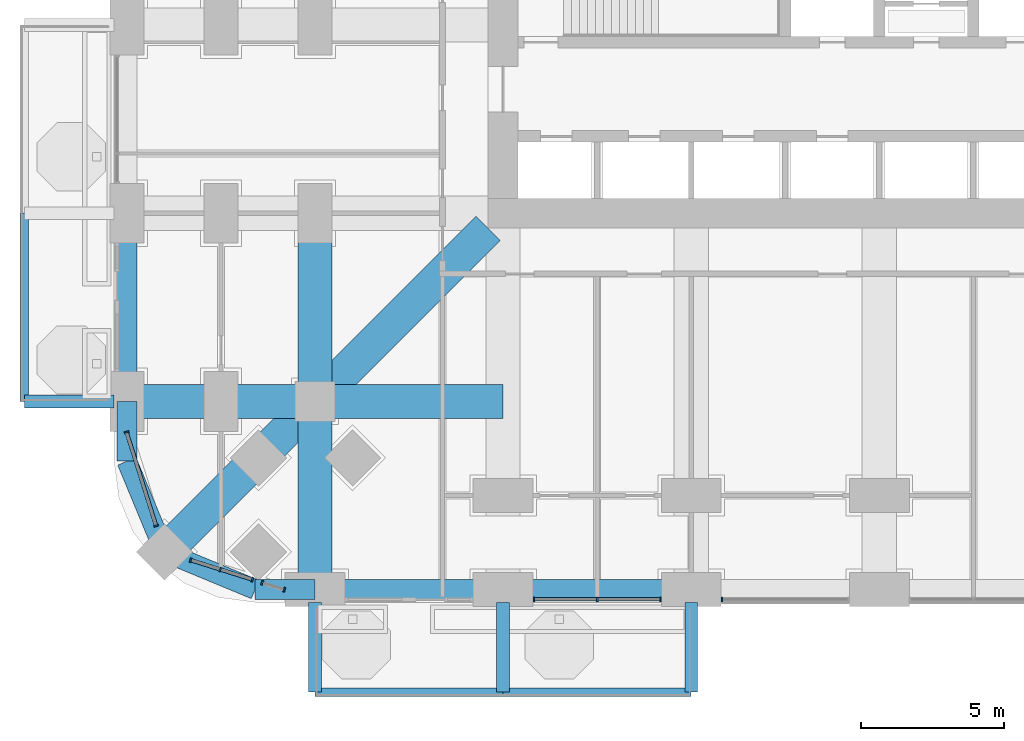
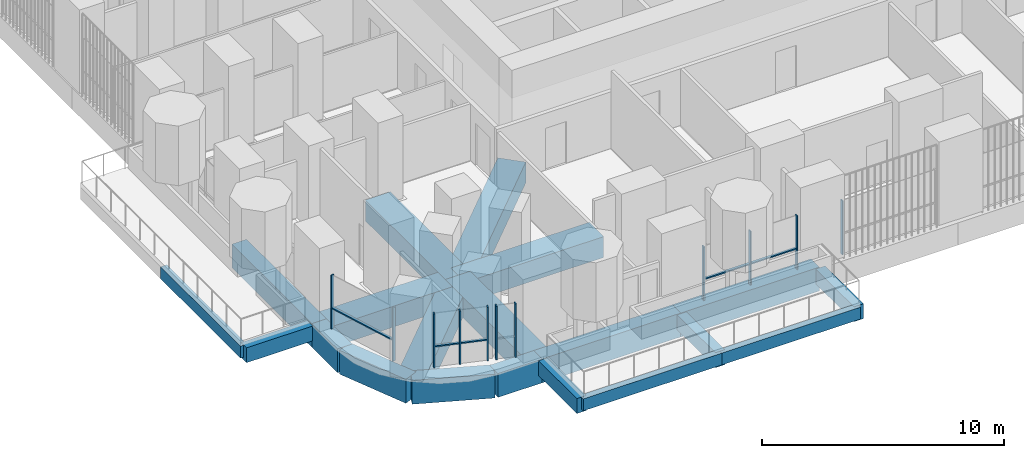
# One storey, part 2 of 27: 20 beams, 16 members, 5 elements without a shape of their own.
"""IFC4 building model written with IfcOpenShell, lengths in metres."""

from ifc_helpers import new_model, si_unit, direction, frame, origin, origin_2d, place, context, subcontext, project, spatial, rectangle, extrude, material, material_profile, profile_set, type_object, element, aggregate, save


model = new_model("IFC4")

# Units and contexts
model_context = context("Model", 3, precision=1e-05, world=origin(), true_north=direction((0.0, 1.0)))
body_context = subcontext(model_context, "Body", "Model", "MODEL_VIEW")
ifc_project = project(units=[si_unit("LENGTHUNIT", "METRE"), si_unit("AREAUNIT", "SQUARE_METRE"), si_unit("VOLUMEUNIT", "CUBIC_METRE"), si_unit("PLANEANGLEUNIT", "RADIAN"), si_unit("MASSUNIT", "GRAM", prefix="KILO")], contexts=[model_context])

# Site, building, storey
site_placement = place(None, origin())
site = spatial("IfcSite", under=ifc_project, at=site_placement, CompositionType="ELEMENT")
building_placement = place(site_placement, origin())
building = spatial("IfcBuilding", under=site, at=building_placement, Name="Cobogo Forest Laboratory Tower", CompositionType="ELEMENT")
storey_placement = place(building_placement, frame((0.0, 0.0, 46.5)))
storey = spatial("IfcBuildingStorey", under=building, at=storey_placement, Name="L10", CompositionType="ELEMENT", Elevation=46.5)

# Beams
ifc_material_1 = material(Name="Concrete HA-40 (C40/50)", Category="concrete")
ifc_material_profile_1 = material_profile(ifc_material_1, rectangle(XDim=0.449951171875, YDim=0.75, at=origin_2d()), Name="RC 450x750")
ifc_profile_set_1 = profile_set([ifc_material_profile_1], Name="Concrete HA-40 (C40/50)")
beam_type_1 = type_object("IfcBeamType", Name="Balcony cantilever beam 450x750", PredefinedType="BEAM", material=ifc_profile_set_1)
for number, where, z_axis, x_axis, name in (
    (1, (6.60009765625, -0.449951171875, -0.625), (0.0, -1.0, 0.0), (1.0, 0.0, 0.0), "CB1 BAL-S1-C1 L10"),
    (2, (13.199951171875, -0.449951171875, -0.625), (0.0, -1.0, 0.0), (1.0, 0.0, 0.0), "CB1 BAL-S1-C2 L10"),
    (3, (19.800048828125, -0.449951171875, -0.625), (0.0, -1.0, 0.0), (1.0, 0.0, 0.0), "CB1 BAL-S1-C3 L10"),
    (4, (-0.449951171875, 6.60009765625, -0.625), (-1.0, 0.0, 0.0), (0.0, -1.0, 0.0), "CB1 BAL-W1-C1 L10"),
):
    element("IfcBeam", number, at=place(storey_placement, frame(where, z_axis=z_axis, x_axis=x_axis)), inside=storey, type_object=beam_type_1, Name=name, PredefinedType="BEAM", context=body_context, shape_type="SweptSolid", body=[
        extrude(rectangle(XDim=0.449951171875, YDim=0.75, at=origin_2d()), origin(), (0.0, 0.0, 1.0), 3.150146484375),
    ])
ifc_material_profile_2 = material_profile(ifc_material_1, rectangle(XDim=0.300048828125, YDim=0.60009765625, at=origin_2d()), Name="RC 300x600")
ifc_profile_set_2 = profile_set([ifc_material_profile_2], Name="Concrete HA-40 (C40/50)")
beam_type_2 = type_object("IfcBeamType", Name="Balcony edge beam 300x600", PredefinedType="BEAM", material=ifc_profile_set_2)
beam_1_placement = place(storey_placement, frame((6.60009765625, -3.60009765625, -0.550048828125), z_axis=(1.0, 0.0, 0.0), x_axis=(0.0, 1.0, 0.0)))
element("IfcBeam", 5, at=beam_1_placement, inside=storey, type_object=beam_type_2, Name="BB1 BAL-S1-T1 L10", PredefinedType="BEAM", context=body_context, shape_type="SweptSolid", body=[
    extrude(rectangle(XDim=0.300048828125, YDim=0.60009765625, at=origin_2d()), origin(), (0.0, 0.0, 1.0), 6.599853515625),
])
beam_2_placement = place(storey_placement, frame((13.199951171875, -3.60009765625, -0.550048828125), z_axis=(1.0, 0.0, 0.0), x_axis=(0.0, 1.0, 0.0)))
element("IfcBeam", 6, at=beam_2_placement, inside=storey, type_object=beam_type_2, Name="BB1 BAL-S1-T2 L10", PredefinedType="BEAM", context=body_context, shape_type="SweptSolid", body=[
    extrude(rectangle(XDim=0.300048828125, YDim=0.60009765625, at=origin_2d()), origin(), (0.0, 0.0, 1.0), 6.60009765625),
])
beam_3_placement = place(storey_placement, frame((-3.60009765625, 6.60009765625, -0.550048828125), z_axis=(0.0, 1.0, 0.0), x_axis=(-1.0, 0.0, 0.0)))
element("IfcBeam", 7, at=beam_3_placement, inside=storey, type_object=beam_type_2, Name="BB1 BAL-W1-T1 L10", PredefinedType="BEAM", context=body_context, shape_type="SweptSolid", body=[
    extrude(rectangle(XDim=0.300048828125, YDim=0.60009765625, at=origin_2d()), origin(), (0.0, 0.0, 1.0), 6.599853515625),
])
ifc_material_profile_3 = material_profile(ifc_material_1, rectangle(XDim=1.199951171875, YDim=1.050048828125, at=origin_2d()), Name="RC 1200x1050")
ifc_profile_set_3 = profile_set([ifc_material_profile_3], Name="Concrete HA-40 (C40/50)")
beam_type_3 = type_object("IfcBeamType", Name="Laboratory floor wide beam 1200x1050", PredefinedType="BEAM", material=ifc_profile_set_3)
beam_4_placement = place(storey_placement, frame((6.60009765625, 0.0, -0.824951171875), z_axis=(0.0, 1.0, 0.0), x_axis=(-1.0, 0.0, 0.0)))
element("IfcBeam", 8, at=beam_4_placement, inside=storey, type_object=beam_type_3, Name="RB1 G-SW-XF L10", PredefinedType="BEAM", context=body_context, shape_type="SweptSolid", body=[
    extrude(rectangle(XDim=1.199951171875, YDim=1.050048828125, at=origin_2d()), origin(), (0.0, 0.0, 1.0), 6.60009765625),
])
beam_5_placement = place(storey_placement, frame((6.60009765625, 6.60009765625, -0.824951171875), z_axis=(0.0, 1.0, 0.0), x_axis=(-1.0, 0.0, 0.0)))
element("IfcBeam", 9, at=beam_5_placement, inside=storey, type_object=beam_type_3, Name="RB1 G-SW-XC L10", PredefinedType="BEAM", context=body_context, shape_type="SweptSolid", body=[
    extrude(rectangle(XDim=1.199951171875, YDim=1.050048828125, at=origin_2d()), origin(), (0.0, 0.0, 1.0), 6.599853515625),
])
beam_6_placement = place(storey_placement, frame((0.0, 6.60009765625, -0.824951171875), z_axis=(1.0, 0.0, 0.0), x_axis=(0.0, 1.0, 0.0)))
element("IfcBeam", 10, at=beam_6_placement, inside=storey, type_object=beam_type_3, Name="RB1 G-SW-YF L10", PredefinedType="BEAM", context=body_context, shape_type="SweptSolid", body=[
    extrude(rectangle(XDim=1.199951171875, YDim=1.050048828125, at=origin_2d()), origin(), (0.0, 0.0, 1.0), 6.60009765625),
])
beam_7_placement = place(storey_placement, frame((6.60009765625, 6.60009765625, -0.824951171875), z_axis=(1.0, 0.0, 0.0), x_axis=(0.0, 1.0, 0.0)))
element("IfcBeam", 11, at=beam_7_placement, inside=storey, type_object=beam_type_3, Name="RB1 G-SW-YC L10", PredefinedType="BEAM", context=body_context, shape_type="SweptSolid", body=[
    extrude(rectangle(XDim=1.199951171875, YDim=1.050048828125, at=origin_2d()), origin(), (0.0, 0.0, 1.0), 6.599853515625),
])
beam_8_placement = place(storey_placement, frame((1.318115234375, 1.318115234375, -0.824951171875), z_axis=(0.707106781187, 0.707106781187, 0.0), x_axis=(-0.707106781187, 0.707106781187, 0.0)))
element("IfcBeam", 12, at=beam_8_placement, inside=storey, type_object=beam_type_3, Name="RB1 G-SW-D1 L10", PredefinedType="BEAM", context=body_context, shape_type="SweptSolid", body=[
    extrude(rectangle(XDim=1.199951171875, YDim=1.050048828125, at=origin_2d()), origin(), (0.0, 0.0, 1.0), 7.469970703125),
])
beam_9_placement = place(storey_placement, frame((6.60009765625, 6.60009765625, -0.824951171875), z_axis=(0.707106781187, 0.707106781187, 0.0), x_axis=(-0.707106781187, 0.707106781187, 0.0)))
element("IfcBeam", 13, at=beam_9_placement, inside=storey, type_object=beam_type_3, Name="RB1 G-SW-D2 L10", PredefinedType="BEAM", context=body_context, shape_type="SweptSolid", body=[
    extrude(rectangle(XDim=1.199951171875, YDim=1.050048828125, at=origin_2d()), origin(), (0.0, 0.0, 1.0), 8.59130859375),
])

# Curtain wall, members
ifc_material_2 = material(Name="Aluminium curtain wall", Category="aluminium")
curtain_wall_type = type_object("IfcCurtainWallType", Name="CW-1 unitised curtain wall, clear glazing, laboratory floors zones A and B", PredefinedType="USERDEFINED", material=ifc_material_2)
curtain_wall_1_placement = place(storey_placement, origin())
curtain_wall_1 = element("IfcCurtainWall", 14, at=curtain_wall_1_placement, inside=storey, type_object=curtain_wall_type, Name="Curtain wall 02 L10", ObjectType="UNITISED CURTAIN WALL", PredefinedType="USERDEFINED")
ifc_material_3 = material(Name="Aluminium mullion", Category="aluminium")
ifc_material_profile_4 = material_profile(ifc_material_3, rectangle(XDim=0.06005859375, YDim=0.159912109375, at=origin_2d()), Name="AL 60x160")
ifc_profile_set_4 = profile_set([ifc_material_profile_4], Name="Aluminium mullion")
member_type_1 = type_object("IfcMemberType", Name="MU-1 aluminium mullion 60x160", PredefinedType="MULLION", material=ifc_profile_set_4)
member_1_placement = place(storey_placement, frame((14.280029296875, -0.35009765625, 0.0), z_axis=(0.0, 0.0, 1.0), x_axis=(1.0, 0.0, 0.0)))
member_1 = element("IfcMember", 15, at=member_1_placement, type_object=member_type_1, Name="CW-1 mullion 1", PredefinedType="MULLION", context=body_context, shape_type="SweptSolid", body=[
    extrude(rectangle(XDim=0.06005859375, YDim=0.159912109375, at=origin_2d()), origin(), (0.0, 0.0, 1.0), 2.699951171875),
])
member_2_placement = place(storey_placement, frame((16.5, -0.35009765625, 0.0), z_axis=(0.0, 0.0, 1.0), x_axis=(1.0, 0.0, 0.0)))
member_2 = element("IfcMember", 16, at=member_2_placement, type_object=member_type_1, Name="CW-1 mullion 2", PredefinedType="MULLION", context=body_context, shape_type="SweptSolid", body=[
    extrude(rectangle(XDim=0.06005859375, YDim=0.159912109375, at=origin_2d()), origin(), (0.0, 0.0, 1.0), 2.699951171875),
])
member_3_placement = place(storey_placement, frame((18.719970703125, -0.35009765625, 0.0), z_axis=(0.0, 0.0, 1.0), x_axis=(1.0, 0.0, 0.0)))
member_3 = element("IfcMember", 17, at=member_3_placement, type_object=member_type_1, Name="CW-1 mullion 3", PredefinedType="MULLION", context=body_context, shape_type="SweptSolid", body=[
    extrude(rectangle(XDim=0.06005859375, YDim=0.159912109375, at=origin_2d()), origin(), (0.0, 0.0, 1.0), 2.699951171875),
])

# Curtain wall, member
curtain_wall_2_placement = place(storey_placement, origin())
curtain_wall_2 = element("IfcCurtainWall", 18, at=curtain_wall_2_placement, inside=storey, type_object=curtain_wall_type, Name="Curtain wall 03 L10", ObjectType="UNITISED CURTAIN WALL", PredefinedType="USERDEFINED")
member_4_placement = place(storey_placement, frame((20.8798828125, -0.35009765625, 0.0), z_axis=(0.0, 0.0, 1.0), x_axis=(1.0, 0.0, 0.0)))
member_4 = element("IfcMember", 19, at=member_4_placement, type_object=member_type_1, Name="CW-1 mullion 1", PredefinedType="MULLION", context=body_context, shape_type="SweptSolid", body=[
    extrude(rectangle(XDim=0.06005859375, YDim=0.159912109375, at=origin_2d()), origin(), (0.0, 0.0, 1.0), 2.699951171875),
])
aggregate(curtain_wall_2, [member_4])

# Curtain wall, members
curtain_wall_3_placement = place(storey_placement, origin())
curtain_wall_3 = element("IfcCurtainWall", 20, at=curtain_wall_3_placement, inside=storey, type_object=curtain_wall_type, Name="Curtain wall 32 L10", ObjectType="UNITISED CURTAIN WALL", PredefinedType="USERDEFINED")
member_5_placement = place(storey_placement, frame((-0.00927734375, 5.521484375, 0.0), z_axis=(0.0, 0.0, 1.0), x_axis=(0.30113535792, -0.95358140513, 0.0)))
member_5 = element("IfcMember", 21, at=member_5_placement, type_object=member_type_1, Name="CW-1 mullion 1", PredefinedType="MULLION", context=body_context, shape_type="SweptSolid", body=[
    extrude(rectangle(XDim=0.06005859375, YDim=0.159912109375, at=origin_2d()), origin(), (0.0, 0.0, 1.0), 2.699951171875),
])
member_6_placement = place(storey_placement, frame((1.02734375, 2.23876953125, 0.0), z_axis=(0.0, 0.0, 1.0), x_axis=(0.30113535792, -0.95358140513, 0.0)))
member_6 = element("IfcMember", 22, at=member_6_placement, type_object=member_type_1, Name="CW-1 mullion 2", PredefinedType="MULLION", context=body_context, shape_type="SweptSolid", body=[
    extrude(rectangle(XDim=0.06005859375, YDim=0.159912109375, at=origin_2d()), origin(), (0.0, 0.0, 1.0), 2.699951171875),
])

curtain_wall_4_placement = place(storey_placement, origin())
curtain_wall_4 = element("IfcCurtainWall", 23, at=curtain_wall_4_placement, inside=storey, type_object=curtain_wall_type, Name="Curtain wall 33 L10", ObjectType="UNITISED CURTAIN WALL", PredefinedType="USERDEFINED")
member_7_placement = place(storey_placement, frame((2.23876953125, 1.02734375, 0.0), z_axis=(0.0, 0.0, 1.0), x_axis=(0.953581409645, -0.301135343623, 0.0)))
member_7 = element("IfcMember", 24, at=member_7_placement, type_object=member_type_1, Name="CW-1 mullion 1", PredefinedType="MULLION", context=body_context, shape_type="SweptSolid", body=[
    extrude(rectangle(XDim=0.06005859375, YDim=0.159912109375, at=origin_2d()), origin(), (0.0, 0.0, 1.0), 2.699951171875),
])
member_8_placement = place(storey_placement, frame((3.27587890625, 0.69970703125, 0.0), z_axis=(0.0, 0.0, 1.0), x_axis=(0.953581409645, -0.301135343623, 0.0)))
member_8 = element("IfcMember", 25, at=member_8_placement, type_object=member_type_1, Name="CW-1 mullion 2", PredefinedType="MULLION", context=body_context, shape_type="SweptSolid", body=[
    extrude(rectangle(XDim=0.06005859375, YDim=0.159912109375, at=origin_2d()), origin(), (0.0, 0.0, 1.0), 2.699951171875),
])
member_9_placement = place(storey_placement, frame((4.39697265625, 0.345703125, 0.0), z_axis=(0.0, 0.0, 1.0), x_axis=(0.953581409645, -0.301135343623, 0.0)))
member_9 = element("IfcMember", 26, at=member_9_placement, type_object=member_type_1, Name="CW-1 mullion 3", PredefinedType="MULLION", context=body_context, shape_type="SweptSolid", body=[
    extrude(rectangle(XDim=0.06005859375, YDim=0.159912109375, at=origin_2d()), origin(), (0.0, 0.0, 1.0), 2.699951171875),
])

curtain_wall_5_placement = place(storey_placement, origin())
curtain_wall_5 = element("IfcCurtainWall", 27, at=curtain_wall_5_placement, inside=storey, type_object=curtain_wall_type, Name="Curtain wall 34 L10", ObjectType="UNITISED CURTAIN WALL", PredefinedType="USERDEFINED")
member_10_placement = place(storey_placement, frame((4.74658203125, 0.2353515625, 0.0), z_axis=(0.0, 0.0, 1.0), x_axis=(0.953581504428, -0.301135043481, 0.0)))
member_10 = element("IfcMember", 28, at=member_10_placement, type_object=member_type_1, Name="CW-1 mullion 1", PredefinedType="MULLION", context=body_context, shape_type="SweptSolid", body=[
    extrude(rectangle(XDim=0.06005859375, YDim=0.159912109375, at=origin_2d()), origin(), (0.0, 0.0, 1.0), 2.699951171875),
])
member_11_placement = place(storey_placement, frame((5.521484375, -0.00927734375, 0.0), z_axis=(0.0, 0.0, 1.0), x_axis=(0.953581504428, -0.301135043481, 0.0)))
member_11 = element("IfcMember", 29, at=member_11_placement, type_object=member_type_1, Name="CW-1 mullion 2", PredefinedType="MULLION", context=body_context, shape_type="SweptSolid", body=[
    extrude(rectangle(XDim=0.06005859375, YDim=0.159912109375, at=origin_2d()), origin(), (0.0, 0.0, 1.0), 2.699951171875),
])
aggregate(curtain_wall_5, [member_10, member_11])

# Beams
ifc_material_profile_5 = material_profile(ifc_material_1, rectangle(XDim=0.699951171875, YDim=1.199951171875, at=origin_2d()), Name="RC 700x1200")
ifc_profile_set_5 = profile_set([ifc_material_profile_5], Name="Concrete HA-40 (C40/50)")
beam_type_4 = type_object("IfcBeamType", Name="Perimeter edge beam 700x1200", PredefinedType="BEAM", material=ifc_profile_set_5)
beam_10_placement = place(storey_placement, frame((6.60009765625, 0.0, -0.89990234375), z_axis=(1.0, 0.0, 0.0), x_axis=(0.0, 1.0, 0.0)))
element("IfcBeam", 30, at=beam_10_placement, inside=storey, type_object=beam_type_4, Name="EB1 E-S1 L10", PredefinedType="BEAM", context=body_context, shape_type="SweptSolid", body=[
    extrude(rectangle(XDim=0.699951171875, YDim=1.199951171875, at=origin_2d()), origin(), (0.0, 0.0, 1.0), 6.599853515625),
])
beam_11_placement = place(storey_placement, frame((13.199951171875, 0.0, -0.89990234375), z_axis=(1.0, 0.0, 0.0), x_axis=(0.0, 1.0, 0.0)))
element("IfcBeam", 31, at=beam_11_placement, inside=storey, type_object=beam_type_4, Name="EB1 E-S2 L10", PredefinedType="BEAM", context=body_context, shape_type="SweptSolid", body=[
    extrude(rectangle(XDim=0.699951171875, YDim=1.199951171875, at=origin_2d()), origin(), (0.0, 0.0, 1.0), 6.60009765625),
])
beam_12_placement = place(storey_placement, frame((0.0, 6.60009765625, -0.89990234375), z_axis=(0.0, 1.0, 0.0), x_axis=(-1.0, 0.0, 0.0)))
element("IfcBeam", 32, at=beam_12_placement, inside=storey, type_object=beam_type_4, Name="EB1 E-W1 L10", PredefinedType="BEAM", context=body_context, shape_type="SweptSolid", body=[
    extrude(rectangle(XDim=0.699951171875, YDim=1.199951171875, at=origin_2d()), origin(), (0.0, 0.0, 1.0), 6.599853515625),
])
beam_13_placement = place(storey_placement, frame((6.60009765625, 0.0, -0.89990234375), z_axis=(-1.0, 0.0, 0.0), x_axis=(0.0, -1.0, 0.0)))
element("IfcBeam", 33, at=beam_13_placement, inside=storey, type_object=beam_type_4, Name="EB1 E-SWS1 L10", PredefinedType="BEAM", context=body_context, shape_type="SweptSolid", body=[
    extrude(rectangle(XDim=0.699951171875, YDim=1.199951171875, at=origin_2d()), origin(), (0.0, 0.0, 1.0), 2.10009765625),
])
beam_14_placement = place(storey_placement, frame((4.5, 0.0, -0.89990234375), z_axis=(-0.923865631356, 0.382716990999, 0.0), x_axis=(-0.382716990999, -0.923865631356, 0.0)))
element("IfcBeam", 34, at=beam_14_placement, inside=storey, type_object=beam_type_4, Name="EB1 E-SWS2 L10", PredefinedType="BEAM", context=body_context, shape_type="SweptSolid", body=[
    extrude(rectangle(XDim=0.699951171875, YDim=1.199951171875, at=origin_2d()), origin(), (0.0, 0.0, 1.0), 3.444091796875),
])
beam_15_placement = place(storey_placement, frame((0.0, 6.60009765625, -0.89990234375), z_axis=(0.0, -1.0, 0.0), x_axis=(1.0, 0.0, 0.0)))
element("IfcBeam", 35, at=beam_15_placement, inside=storey, type_object=beam_type_4, Name="EB1 E-SWW1 L10", PredefinedType="BEAM", context=body_context, shape_type="SweptSolid", body=[
    extrude(rectangle(XDim=0.699951171875, YDim=1.199951171875, at=origin_2d()), origin(), (0.0, 0.0, 1.0), 2.10009765625),
])
beam_16_placement = place(storey_placement, frame((0.0, 4.5, -0.89990234375), z_axis=(0.382716990999, -0.923865631356, 0.0), x_axis=(0.923865631356, 0.382716990999, 0.0)))
element("IfcBeam", 36, at=beam_16_placement, inside=storey, type_object=beam_type_4, Name="EB1 E-SWW2 L10", PredefinedType="BEAM", context=body_context, shape_type="SweptSolid", body=[
    extrude(rectangle(XDim=0.699951171875, YDim=1.199951171875, at=origin_2d()), origin(), (0.0, 0.0, 1.0), 3.444091796875),
])

# Member
ifc_material_4 = material(Name="Aluminium transom", Category="aluminium")
ifc_material_profile_6 = material_profile(ifc_material_4, rectangle(XDim=0.1201171875, YDim=0.06005859375, at=origin_2d()), Name="AL 60x120")
ifc_profile_set_6 = profile_set([ifc_material_profile_6], Name="Aluminium transom")
member_type_2 = type_object("IfcMemberType", Name="TR-1 aluminium transom 60x120", PredefinedType="USERDEFINED", material=ifc_profile_set_6)
member_12_placement = place(storey_placement, frame((14.31005859375, -0.35009765625, 1.050048828125), z_axis=(1.0, 0.0, 0.0), x_axis=(0.0, 1.0, 0.0)))
member_12 = element("IfcMember", 37, at=member_12_placement, type_object=member_type_2, Name="CW-1 transom 1.1", ObjectType="TRANSOM", PredefinedType="USERDEFINED", context=body_context, shape_type="SweptSolid", body=[
    extrude(rectangle(XDim=0.1201171875, YDim=0.06005859375, at=origin_2d()), origin(), (0.0, 0.0, 1.0), 2.159912109375),
])

member_13_placement = place(storey_placement, frame((16.530029296875, -0.35009765625, 1.050048828125), z_axis=(1.0, 0.0, 0.0), x_axis=(0.0, 1.0, 0.0)))
member_13 = element("IfcMember", 38, at=member_13_placement, type_object=member_type_2, Name="CW-1 transom 2.1", ObjectType="TRANSOM", PredefinedType="USERDEFINED", context=body_context, shape_type="SweptSolid", body=[
    extrude(rectangle(XDim=0.1201171875, YDim=0.06005859375, at=origin_2d()), origin(), (0.0, 0.0, 1.0), 2.159912109375),
])

aggregate(curtain_wall_1, [member_1, member_2, member_3, member_12, member_13])

member_14_placement = place(storey_placement, frame((-0.000244140625, 5.49267578125, 1.050048828125), z_axis=(0.301138276922, -0.953580483322, 0.0), x_axis=(0.953580483322, 0.301138276922, 0.0)))
member_14 = element("IfcMember", 39, at=member_14_placement, type_object=member_type_2, Name="CW-1 transom 1.1", ObjectType="TRANSOM", PredefinedType="USERDEFINED", context=body_context, shape_type="SweptSolid", body=[
    extrude(rectangle(XDim=0.1201171875, YDim=0.06005859375, at=origin_2d()), origin(), (0.0, 0.0, 1.0), 3.38232421875),
])

aggregate(curtain_wall_3, [member_5, member_6, member_14])

member_15_placement = place(storey_placement, frame((2.267333984375, 1.018310546875, 1.050048828125), z_axis=(0.953553938535, -0.301222320394, 0.0), x_axis=(0.301222320394, 0.953553938535, 0.0)))
member_15 = element("IfcMember", 40, at=member_15_placement, type_object=member_type_2, Name="CW-1 transom 1.1", ObjectType="TRANSOM", PredefinedType="USERDEFINED", context=body_context, shape_type="SweptSolid", body=[
    extrude(rectangle(XDim=0.1201171875, YDim=0.06005859375, at=origin_2d()), origin(), (0.0, 0.0, 1.0), 1.02783203125),
])

member_16_placement = place(storey_placement, frame((3.304443359375, 0.690673828125, 1.050048828125), z_axis=(0.953595892327, -0.301089478624, 0.0), x_axis=(0.301089478624, 0.953595892327, 0.0)))
member_16 = element("IfcMember", 41, at=member_16_placement, type_object=member_type_2, Name="CW-1 transom 2.1", ObjectType="TRANSOM", PredefinedType="USERDEFINED", context=body_context, shape_type="SweptSolid", body=[
    extrude(rectangle(XDim=0.1201171875, YDim=0.06005859375, at=origin_2d()), origin(), (0.0, 0.0, 1.0), 1.11572265625),
])

aggregate(curtain_wall_4, [member_7, member_8, member_9, member_15, member_16])

save(model, "model.ifc")
